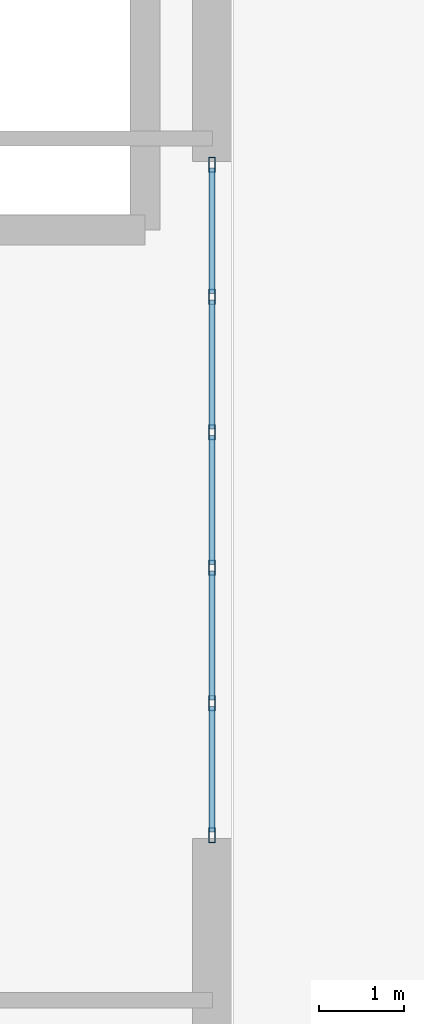
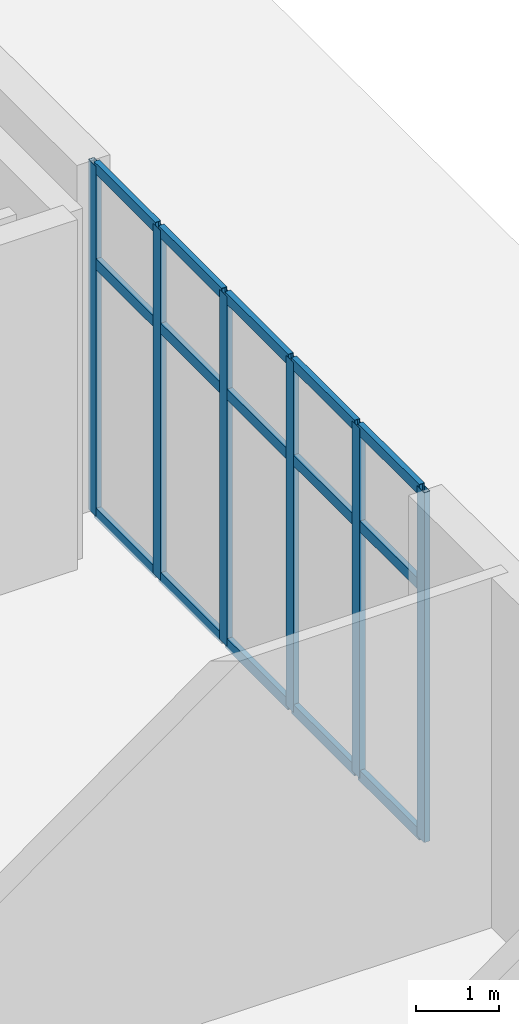
# One storey, part 11 of 30: 21 members, 1 element without a shape of its own.
"""IFC4 building model written with IfcOpenShell, lengths in metres."""

from ifc_helpers import new_model, si_unit, direction, frame, origin, origin_2d, place, context, subcontext, project, spatial, hollow_rectangle, extrude, source, transform, mapped, material, layer, layer_set, material_profile, profile_set, type_object, element, aggregate, save


model = new_model("IFC4")

# Units and contexts
model_context = context("Model", 3, precision=1e-05, world=origin(), true_north=direction((0.0, 1.0)))
body_context = subcontext(model_context, "Body", "Model", "MODEL_VIEW")
ifc_project = project(units=[si_unit("LENGTHUNIT", "METRE"), si_unit("AREAUNIT", "SQUARE_METRE"), si_unit("VOLUMEUNIT", "CUBIC_METRE"), si_unit("PLANEANGLEUNIT", "RADIAN"), si_unit("MASSUNIT", "GRAM", prefix="KILO")], contexts=[model_context])

# Site, building, storey
site_placement = place(None, origin())
site = spatial("IfcSite", under=ifc_project, at=site_placement, CompositionType="ELEMENT")
building_placement = place(site_placement, origin())
building = spatial("IfcBuilding", under=site, at=building_placement, Name="Liaohun Quay Tower", CompositionType="ELEMENT")
storey_placement = place(building_placement, origin())
storey = spatial("IfcBuildingStorey", under=building, at=storey_placement, Name="L01", CompositionType="ELEMENT", Elevation=0.0)

# Curtain wall, members
ifc_material_1 = material(Name="Thermally broken podium arcade storefront curtain wall")
ifc_layer = layer(ifc_material_1, 0.179931640625, Name="Thermally broken podium arcade storefront curtain wall")
ifc_layer_set = layer_set([ifc_layer], Name="Thermally broken podium arcade storefront curtain wall")
curtain_wall_type = type_object("IfcCurtainWallType", Name="CW-POD-RET", PredefinedType="NOTDEFINED", material=ifc_layer_set)
curtain_wall_placement = place(storey_placement, origin())
curtain_wall = element("IfcCurtainWall", 1, at=curtain_wall_placement, inside=storey, type_object=curtain_wall_type, Name="L01 Podium Arcade Storefront CW2-E1", PredefinedType="NOTDEFINED")
ifc_material_2 = material(Name="Anodised aluminium 6063-T6", Category="aluminium")
ifc_material_profile_1 = material_profile(ifc_material_2, hollow_rectangle(XDim=0.080078125, YDim=0.179931640625, WallThickness=0.0048828125, at=origin_2d()), Name="RHS180x80x5")
ifc_profile_set_1 = profile_set([ifc_material_profile_1], Name="Anodised aluminium 6063-T6")
member_type_1 = type_object("IfcMemberType", Name="MEM-CWM-POD", PredefinedType="MULLION", material=ifc_profile_set_1)
shared_shape_1 = source(origin(), body_context, "Body", "SweptSolid", [
    extrude(hollow_rectangle(XDim=0.080078125, YDim=0.179931640625, WallThickness=0.0048828125, at=origin_2d()), origin(), (0.0, 0.0, 1.0), 5.14990234375),
])
member_1_placement = place(storey_placement, frame((104.77001953125, 35.27001953125, 0.0), z_axis=(0.0, 0.0, 1.0), x_axis=(-1.0, 0.0, 0.0)))
member_1 = element("IfcMember", 2, at=member_1_placement, type_object=member_type_1, Name="CW2 mullion 1", PredefinedType="MULLION", context=body_context, shape_type="MappedRepresentation", body=[
    mapped(shared_shape_1, transform((0.0, 0.0, 0.0), x_axis=(1.0, 0.0, 0.0), y_axis=(0.0, 1.0, 0.0), z_axis=(0.0, 0.0, 1.0), scale=1.0)),
])
member_2_placement = place(storey_placement, frame((104.77001953125, 36.830078125, 0.0), z_axis=(0.0, 0.0, 1.0), x_axis=(-1.0, 0.0, 0.0)))
member_2 = element("IfcMember", 3, at=member_2_placement, type_object=member_type_1, Name="CW2 mullion 2", PredefinedType="MULLION", context=body_context, shape_type="MappedRepresentation", body=[
    mapped(shared_shape_1, transform((0.0, 0.0, 0.0), x_axis=(1.0, 0.0, 0.0), y_axis=(0.0, 1.0, 0.0), z_axis=(0.0, 0.0, 1.0), scale=1.0)),
])
member_3_placement = place(storey_placement, frame((104.77001953125, 38.429931640625, 0.0), z_axis=(0.0, 0.0, 1.0), x_axis=(-1.0, 0.0, 0.0)))
member_3 = element("IfcMember", 4, at=member_3_placement, type_object=member_type_1, Name="CW2 mullion 3", PredefinedType="MULLION", context=body_context, shape_type="MappedRepresentation", body=[
    mapped(shared_shape_1, transform((0.0, 0.0, 0.0), x_axis=(1.0, 0.0, 0.0), y_axis=(0.0, 1.0, 0.0), z_axis=(0.0, 0.0, 1.0), scale=1.0)),
])
member_4_placement = place(storey_placement, frame((104.77001953125, 40.030029296875, 0.0), z_axis=(0.0, 0.0, 1.0), x_axis=(-1.0, 0.0, 0.0)))
member_4 = element("IfcMember", 5, at=member_4_placement, type_object=member_type_1, Name="CW2 mullion 4", PredefinedType="MULLION", context=body_context, shape_type="MappedRepresentation", body=[
    mapped(shared_shape_1, transform((0.0, 0.0, 0.0), x_axis=(1.0, 0.0, 0.0), y_axis=(0.0, 1.0, 0.0), z_axis=(0.0, 0.0, 1.0), scale=1.0)),
])
member_5_placement = place(storey_placement, frame((104.77001953125, 41.6298828125, 0.0), z_axis=(0.0, 0.0, 1.0), x_axis=(-1.0, 0.0, 0.0)))
member_5 = element("IfcMember", 6, at=member_5_placement, type_object=member_type_1, Name="CW2 mullion 5", PredefinedType="MULLION", context=body_context, shape_type="MappedRepresentation", body=[
    mapped(shared_shape_1, transform((0.0, 0.0, 0.0), x_axis=(1.0, 0.0, 0.0), y_axis=(0.0, 1.0, 0.0), z_axis=(0.0, 0.0, 1.0), scale=1.0)),
])
member_6_placement = place(storey_placement, frame((104.77001953125, 43.18994140625, 0.0), z_axis=(0.0, 0.0, 1.0), x_axis=(-1.0, 0.0, 0.0)))
member_6 = element("IfcMember", 7, at=member_6_placement, type_object=member_type_1, Name="CW2 mullion 6", PredefinedType="MULLION", context=body_context, shape_type="MappedRepresentation", body=[
    mapped(shared_shape_1, transform((0.0, 0.0, 0.0), x_axis=(1.0, 0.0, 0.0), y_axis=(0.0, 1.0, 0.0), z_axis=(0.0, 0.0, 1.0), scale=1.0)),
])
ifc_material_profile_2 = material_profile(ifc_material_2, hollow_rectangle(XDim=0.074951171875, YDim=0.159912109375, WallThickness=0.0048828125, at=origin_2d()), Name="RHS160x75x5")
ifc_profile_set_2 = profile_set([ifc_material_profile_2], Name="Anodised aluminium 6063-T6")
member_type_2 = type_object("IfcMemberType", Name="MEM-CWT-POD", PredefinedType="USERDEFINED", material=ifc_profile_set_2)
shared_shape_2 = source(origin(), body_context, "Body", "SweptSolid", [
    extrude(hollow_rectangle(XDim=0.074951171875, YDim=0.159912109375, WallThickness=0.0048828125, at=origin_2d()), origin(), (0.0, 0.0, 1.0), 1.47998046875),
])
member_7_placement = place(storey_placement, frame((104.77001953125, 35.31005859375, 0.03759765625), z_axis=(0.0, 1.0, 0.0), x_axis=(-1.0, 0.0, 0.0)))
member_7 = element("IfcMember", 8, at=member_7_placement, type_object=member_type_2, Name="CW2 transom 1.1", ObjectType="TRANSOM", PredefinedType="USERDEFINED", context=body_context, shape_type="MappedRepresentation", body=[
    mapped(shared_shape_2, transform((0.0, 0.0, 0.0), x_axis=(1.0, 0.0, 0.0), y_axis=(0.0, 1.0, 0.0), z_axis=(0.0, 0.0, 1.0), scale=1.0)),
])
member_8_placement = place(storey_placement, frame((104.77001953125, 35.31005859375, 3.7080078125), z_axis=(0.0, 1.0, 0.0), x_axis=(-1.0, 0.0, 0.0)))
member_8 = element("IfcMember", 9, at=member_8_placement, type_object=member_type_2, Name="CW2 transom 1.2", ObjectType="TRANSOM", PredefinedType="USERDEFINED", context=body_context, shape_type="MappedRepresentation", body=[
    mapped(shared_shape_2, transform((0.0, 0.0, 0.0), x_axis=(1.0, 0.0, 0.0), y_axis=(0.0, 1.0, 0.0), z_axis=(0.0, 0.0, 1.0), scale=1.0)),
])
member_9_placement = place(storey_placement, frame((104.77001953125, 35.31005859375, 5.112548828125), z_axis=(0.0, 1.0, 0.0), x_axis=(-1.0, 0.0, 0.0)))
member_9 = element("IfcMember", 10, at=member_9_placement, type_object=member_type_2, Name="CW2 transom 1.3", ObjectType="TRANSOM", PredefinedType="USERDEFINED", context=body_context, shape_type="MappedRepresentation", body=[
    mapped(shared_shape_2, transform((0.0, 0.0, 0.0), x_axis=(1.0, 0.0, 0.0), y_axis=(0.0, 1.0, 0.0), z_axis=(0.0, 0.0, 1.0), scale=1.0)),
])
member_10_placement = place(storey_placement, frame((104.77001953125, 41.669921875, 0.03759765625), z_axis=(0.0, 1.0, 0.0), x_axis=(-1.0, 0.0, 0.0)))
member_10 = element("IfcMember", 11, at=member_10_placement, type_object=member_type_2, Name="CW2 transom 5.1", ObjectType="TRANSOM", PredefinedType="USERDEFINED", context=body_context, shape_type="MappedRepresentation", body=[
    mapped(shared_shape_2, transform((0.0, 0.0, 0.0), x_axis=(1.0, 0.0, 0.0), y_axis=(0.0, 1.0, 0.0), z_axis=(0.0, 0.0, 1.0), scale=1.0)),
])
member_11_placement = place(storey_placement, frame((104.77001953125, 41.669921875, 3.7080078125), z_axis=(0.0, 1.0, 0.0), x_axis=(-1.0, 0.0, 0.0)))
member_11 = element("IfcMember", 12, at=member_11_placement, type_object=member_type_2, Name="CW2 transom 5.2", ObjectType="TRANSOM", PredefinedType="USERDEFINED", context=body_context, shape_type="MappedRepresentation", body=[
    mapped(shared_shape_2, transform((0.0, 0.0, 0.0), x_axis=(1.0, 0.0, 0.0), y_axis=(0.0, 1.0, 0.0), z_axis=(0.0, 0.0, 1.0), scale=1.0)),
])
member_12_placement = place(storey_placement, frame((104.77001953125, 41.669921875, 5.112548828125), z_axis=(0.0, 1.0, 0.0), x_axis=(-1.0, 0.0, 0.0)))
member_12 = element("IfcMember", 13, at=member_12_placement, type_object=member_type_2, Name="CW2 transom 5.3", ObjectType="TRANSOM", PredefinedType="USERDEFINED", context=body_context, shape_type="MappedRepresentation", body=[
    mapped(shared_shape_2, transform((0.0, 0.0, 0.0), x_axis=(1.0, 0.0, 0.0), y_axis=(0.0, 1.0, 0.0), z_axis=(0.0, 0.0, 1.0), scale=1.0)),
])
shared_shape_3 = source(origin(), body_context, "Body", "SweptSolid", [
    extrude(hollow_rectangle(XDim=0.074951171875, YDim=0.159912109375, WallThickness=0.0048828125, at=origin_2d()), origin(), (0.0, 0.0, 1.0), 1.519775390625),
])
member_13_placement = place(storey_placement, frame((104.77001953125, 36.8701171875, 0.03759765625), z_axis=(0.0, 1.0, 0.0), x_axis=(-1.0, 0.0, 0.0)))
member_13 = element("IfcMember", 14, at=member_13_placement, type_object=member_type_2, Name="CW2 transom 2.1", ObjectType="TRANSOM", PredefinedType="USERDEFINED", context=body_context, shape_type="MappedRepresentation", body=[
    mapped(shared_shape_3, transform((0.0, 0.0, 0.0), x_axis=(1.0, 0.0, 0.0), y_axis=(0.0, 1.0, 0.0), z_axis=(0.0, 0.0, 1.0), scale=1.0)),
])
member_14_placement = place(storey_placement, frame((104.77001953125, 36.8701171875, 3.7080078125), z_axis=(0.0, 1.0, 0.0), x_axis=(-1.0, 0.0, 0.0)))
member_14 = element("IfcMember", 15, at=member_14_placement, type_object=member_type_2, Name="CW2 transom 2.2", ObjectType="TRANSOM", PredefinedType="USERDEFINED", context=body_context, shape_type="MappedRepresentation", body=[
    mapped(shared_shape_3, transform((0.0, 0.0, 0.0), x_axis=(1.0, 0.0, 0.0), y_axis=(0.0, 1.0, 0.0), z_axis=(0.0, 0.0, 1.0), scale=1.0)),
])
member_15_placement = place(storey_placement, frame((104.77001953125, 36.8701171875, 5.112548828125), z_axis=(0.0, 1.0, 0.0), x_axis=(-1.0, 0.0, 0.0)))
member_15 = element("IfcMember", 16, at=member_15_placement, type_object=member_type_2, Name="CW2 transom 2.3", ObjectType="TRANSOM", PredefinedType="USERDEFINED", context=body_context, shape_type="MappedRepresentation", body=[
    mapped(shared_shape_3, transform((0.0, 0.0, 0.0), x_axis=(1.0, 0.0, 0.0), y_axis=(0.0, 1.0, 0.0), z_axis=(0.0, 0.0, 1.0), scale=1.0)),
])
shared_shape_4 = source(origin(), body_context, "Body", "SweptSolid", [
    extrude(hollow_rectangle(XDim=0.074951171875, YDim=0.159912109375, WallThickness=0.0048828125, at=origin_2d()), origin(), (0.0, 0.0, 1.0), 1.52001953125),
])
member_16_placement = place(storey_placement, frame((104.77001953125, 38.469970703125, 0.03759765625), z_axis=(0.0, 1.0, 0.0), x_axis=(-1.0, 0.0, 0.0)))
member_16 = element("IfcMember", 17, at=member_16_placement, type_object=member_type_2, Name="CW2 transom 3.1", ObjectType="TRANSOM", PredefinedType="USERDEFINED", context=body_context, shape_type="MappedRepresentation", body=[
    mapped(shared_shape_4, transform((0.0, 0.0, 0.0), x_axis=(1.0, 0.0, 0.0), y_axis=(0.0, 1.0, 0.0), z_axis=(0.0, 0.0, 1.0), scale=1.0)),
])
member_17_placement = place(storey_placement, frame((104.77001953125, 38.469970703125, 3.7080078125), z_axis=(0.0, 1.0, 0.0), x_axis=(-1.0, 0.0, 0.0)))
member_17 = element("IfcMember", 18, at=member_17_placement, type_object=member_type_2, Name="CW2 transom 3.2", ObjectType="TRANSOM", PredefinedType="USERDEFINED", context=body_context, shape_type="MappedRepresentation", body=[
    mapped(shared_shape_4, transform((0.0, 0.0, 0.0), x_axis=(1.0, 0.0, 0.0), y_axis=(0.0, 1.0, 0.0), z_axis=(0.0, 0.0, 1.0), scale=1.0)),
])
member_18_placement = place(storey_placement, frame((104.77001953125, 38.469970703125, 5.112548828125), z_axis=(0.0, 1.0, 0.0), x_axis=(-1.0, 0.0, 0.0)))
member_18 = element("IfcMember", 19, at=member_18_placement, type_object=member_type_2, Name="CW2 transom 3.3", ObjectType="TRANSOM", PredefinedType="USERDEFINED", context=body_context, shape_type="MappedRepresentation", body=[
    mapped(shared_shape_4, transform((0.0, 0.0, 0.0), x_axis=(1.0, 0.0, 0.0), y_axis=(0.0, 1.0, 0.0), z_axis=(0.0, 0.0, 1.0), scale=1.0)),
])
member_19_placement = place(storey_placement, frame((104.77001953125, 40.070068359375, 0.03759765625), z_axis=(0.0, 1.0, 0.0), x_axis=(-1.0, 0.0, 0.0)))
member_19 = element("IfcMember", 20, at=member_19_placement, type_object=member_type_2, Name="CW2 transom 4.1", ObjectType="TRANSOM", PredefinedType="USERDEFINED", context=body_context, shape_type="MappedRepresentation", body=[
    mapped(shared_shape_4, transform((0.0, 0.0, 0.0), x_axis=(1.0, 0.0, 0.0), y_axis=(0.0, 1.0, 0.0), z_axis=(0.0, 0.0, 1.0), scale=1.0)),
])
member_20_placement = place(storey_placement, frame((104.77001953125, 40.070068359375, 3.7080078125), z_axis=(0.0, 1.0, 0.0), x_axis=(-1.0, 0.0, 0.0)))
member_20 = element("IfcMember", 21, at=member_20_placement, type_object=member_type_2, Name="CW2 transom 4.2", ObjectType="TRANSOM", PredefinedType="USERDEFINED", context=body_context, shape_type="MappedRepresentation", body=[
    mapped(shared_shape_4, transform((0.0, 0.0, 0.0), x_axis=(1.0, 0.0, 0.0), y_axis=(0.0, 1.0, 0.0), z_axis=(0.0, 0.0, 1.0), scale=1.0)),
])
member_21_placement = place(storey_placement, frame((104.77001953125, 40.070068359375, 5.112548828125), z_axis=(0.0, 1.0, 0.0), x_axis=(-1.0, 0.0, 0.0)))
member_21 = element("IfcMember", 22, at=member_21_placement, type_object=member_type_2, Name="CW2 transom 4.3", ObjectType="TRANSOM", PredefinedType="USERDEFINED", context=body_context, shape_type="MappedRepresentation", body=[
    mapped(shared_shape_4, transform((0.0, 0.0, 0.0), x_axis=(1.0, 0.0, 0.0), y_axis=(0.0, 1.0, 0.0), z_axis=(0.0, 0.0, 1.0), scale=1.0)),
])
aggregate(curtain_wall, [member_1, member_2, member_3, member_4, member_5, member_6, member_7, member_8, member_9, member_13, member_14, member_15, member_16, member_17, member_18, member_19, member_20, member_21, member_10, member_11, member_12])

save(model, "model.ifc")
